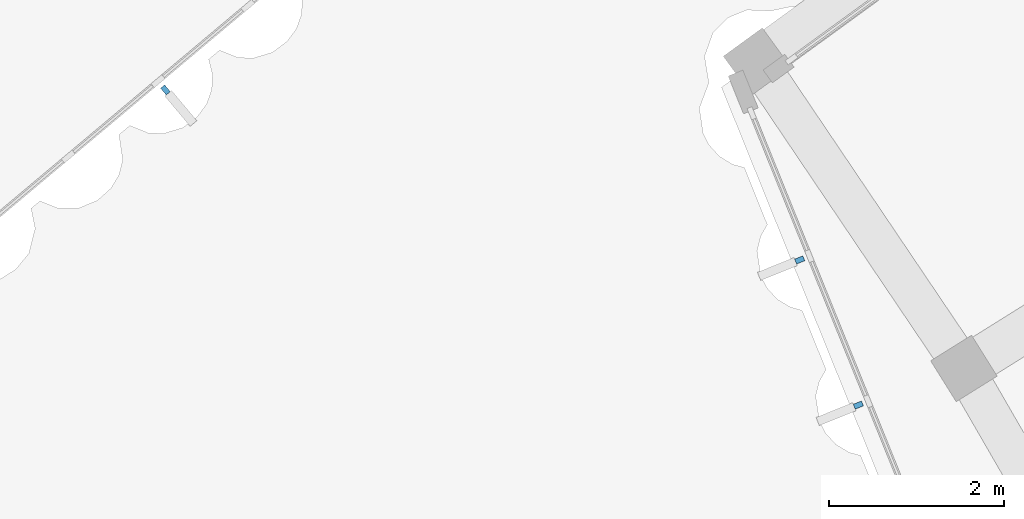
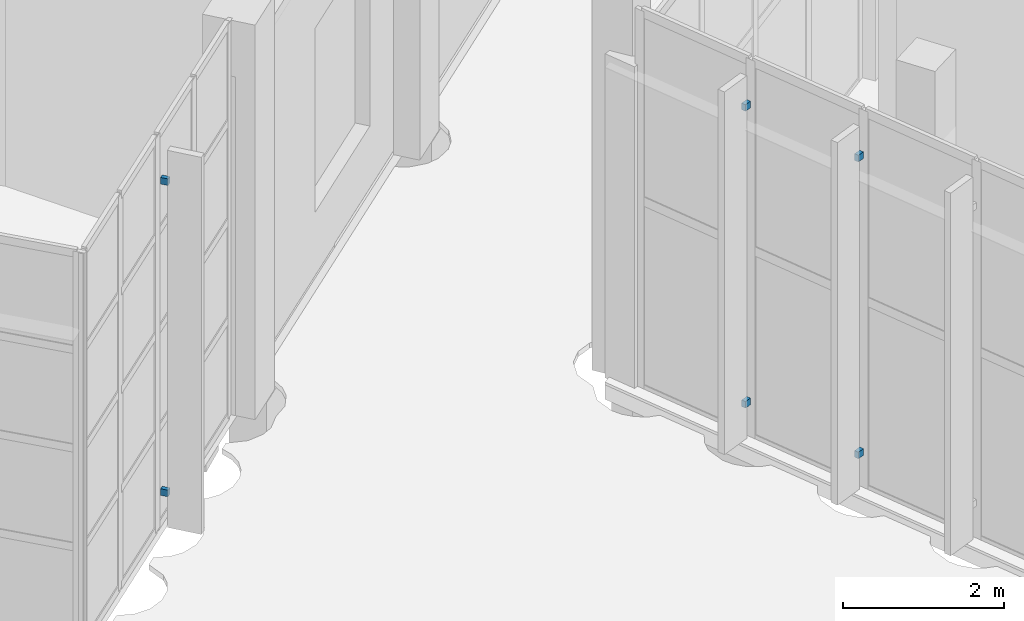
# One storey, part 115 of 155: 6 discrete accessories.
"""IFC4 building model written with IfcOpenShell, lengths in metres."""

from ifc_helpers import new_model, si_unit, direction, frame, origin, origin_2d, place, context, subcontext, project, spatial, rectangle, extrude, material, type_object, element, save


model = new_model("IFC4")

# Units and contexts
model_context = context("Model", 3, precision=1e-05, world=origin(), true_north=direction((0.0, 1.0)))
body_context = subcontext(model_context, "Body", "Model", "MODEL_VIEW")
ifc_project = project(units=[si_unit("LENGTHUNIT", "METRE"), si_unit("AREAUNIT", "SQUARE_METRE"), si_unit("VOLUMEUNIT", "CUBIC_METRE"), si_unit("PLANEANGLEUNIT", "RADIAN"), si_unit("MASSUNIT", "GRAM", prefix="KILO")], contexts=[model_context])

# Site, building, storey
site_placement = place(None, origin())
site = spatial("IfcSite", under=ifc_project, at=site_placement, CompositionType="ELEMENT")
building_placement = place(site_placement, origin())
building = spatial("IfcBuilding", under=site, at=building_placement, Name="Lunette Opera House", CompositionType="ELEMENT")
storey_placement = place(building_placement, origin())
storey = spatial("IfcBuildingStorey", under=building, at=storey_placement, Name="L00", CompositionType="ELEMENT", Elevation=0.0)

# Discrete accessories
ifc_material = material(Name="Galvanised steel", Category="steel")
discrete_accessory_type = type_object("IfcDiscreteAccessoryType", Name="FIN BRACKET STEEL", PredefinedType="BRACKET", material=ifc_material)
for number, where, z_axis, x_axis, name in (
    (1, (138.197021484375, 35.238037109375, 0.56494140625), (0.0, 0.0, 1.0), (0.642827718799, -0.766010785788, 0.0), "Fin bracket FC-X2172 2 1"),
    (2, (138.197021484375, 35.238037109375, 5.300048828125), (0.0, 0.0, 1.0), (0.642827718799, -0.766010785788, 0.0), "Fin bracket FC-X2172 2 2"),
    (3, (145.43408203125, 33.298095703125, 0.56494140625), (0.0, 0.0, 1.0), (-0.927168162269, -0.374645430874, 0.0), "Fin bracket SB-X2001 1 1"),
    (4, (145.43408203125, 33.298095703125, 5.079833984375), (0.0, 0.0, 1.0), (-0.927168162269, -0.374645430874, 0.0), "Fin bracket SB-X2001 1 2"),
    (5, (146.10302734375, 31.64208984375, 0.56494140625), (0.0, 0.0, 1.0), (-0.927168162269, -0.374645430874, 0.0), "Fin bracket SB-X2001 2 1"),
    (6, (146.10302734375, 31.64208984375, 5.079833984375), (0.0, 0.0, 1.0), (-0.927168162269, -0.374645430874, 0.0), "Fin bracket SB-X2001 2 2"),
):
    element("IfcDiscreteAccessory", number, at=place(storey_placement, frame(where, z_axis=z_axis, x_axis=x_axis)), inside=storey, type_object=discrete_accessory_type, Name=name, PredefinedType="BRACKET", context=body_context, shape_type="SweptSolid", body=[
        extrude(rectangle(XDim=0.10009765625, YDim=0.06005859375, at=origin_2d()), origin(), (0.0, 0.0, 1.0), 0.10009765625),
    ])

save(model, "model.ifc")
